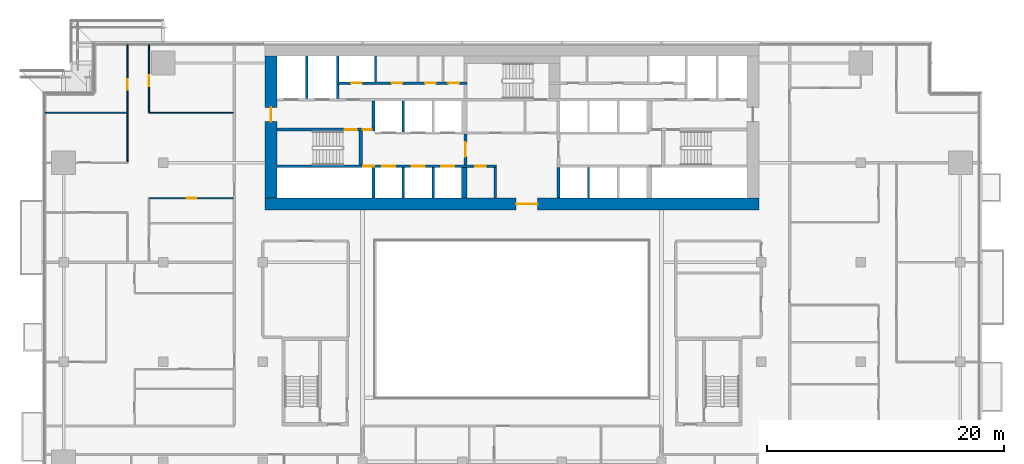
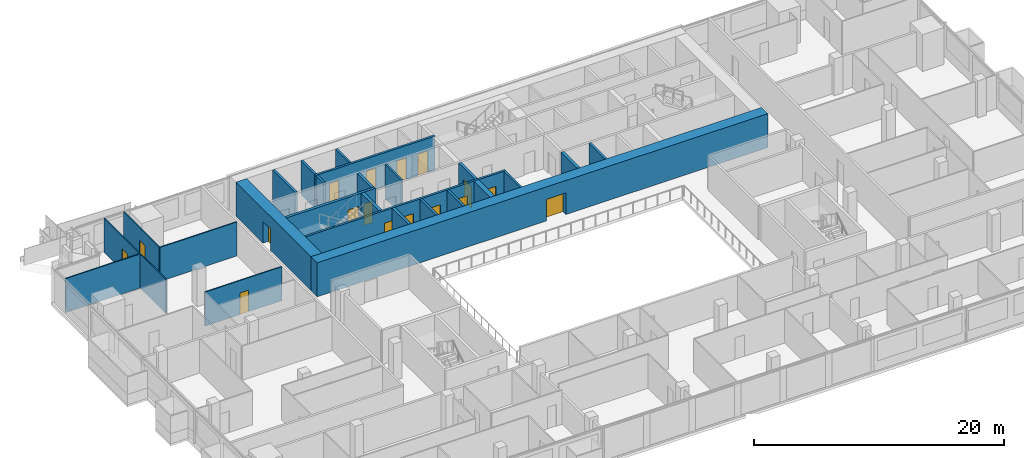
# One storey, part 20 of 29: 25 walls, 17 doors, 17 openings.
"""IFC4 building model written with IfcOpenShell, lengths in metres."""

from ifc_helpers import new_model, si_unit, direction, frame, frame_2d, origin, place, context, subcontext, project, spatial, rectangle, extrude, material, layer, layer_set, type_object, element, fill, save


model = new_model("IFC4")

# Units and contexts
model_context = context("Model", 3, precision=1e-05, world=origin(), true_north=direction((0.0, 1.0)))
body_context = subcontext(model_context, "Body", "Model", "MODEL_VIEW")
ifc_project = project(units=[si_unit("LENGTHUNIT", "METRE"), si_unit("AREAUNIT", "SQUARE_METRE"), si_unit("VOLUMEUNIT", "CUBIC_METRE"), si_unit("PLANEANGLEUNIT", "RADIAN"), si_unit("MASSUNIT", "GRAM", prefix="KILO")], contexts=[model_context])

# Site, building, storey
site_placement = place(None, origin())
site = spatial("IfcSite", under=ifc_project, at=site_placement, CompositionType="ELEMENT")
building_placement = place(site_placement, origin())
building = spatial("IfcBuilding", under=site, at=building_placement, Name="Saffron Gate Tower", CompositionType="ELEMENT")
storey_placement = place(building_placement, frame((0.0, 0.0, 106.050048828125)))
storey = spatial("IfcBuildingStorey", under=building, at=storey_placement, Name="L24", CompositionType="ELEMENT", Elevation=106.050048828125)

# Wall
ifc_material_1 = material(Name="Gypsum board partition on steel studs", Category="steel")
ifc_layer_1 = layer(ifc_material_1, 0.199951171875)
ifc_layer_set_1 = layer_set([ifc_layer_1], Name="CW10 Core partition 200")
wall_type_1 = type_object("IfcWallType", Name="CW10 Core partition 200", PredefinedType="PARTITIONING", material=ifc_layer_set_1)
wall_1_placement = place(storey_placement, frame((86.199951171875, 62.39990234375, 0.0), z_axis=(0.0, 0.0, 1.0), x_axis=(0.0, 1.0, 0.0)))
element("IfcWall", 1, at=wall_1_placement, inside=storey, type_object=wall_type_1, Name="Wall CW10-L24-9", PredefinedType="PARTITIONING", context=body_context, shape_type="SweptSolid", body=[
    extrude(rectangle(XDim=2.60009765625, YDim=0.199951171875, at=frame_2d((1.300048828125, 0.0))), origin(), (0.0, 0.0, 1.0), 3.320068359375),
])

# Wall, opening, door
ifc_material_2 = material(Name="Concrete C70", Category="concrete")
ifc_layer_2 = layer(ifc_material_2, 1.0)
ifc_layer_set_2 = layer_set([ifc_layer_2], Name="CW12 RC core wall 1000 C70")
wall_type_2 = type_object("IfcWallType", Name="CW12 RC core wall 1000 C70", PredefinedType="SOLIDWALL", material=ifc_layer_set_2)
wall_2_placement = place(storey_placement, frame((66.800048828125, 61.89990234375, 0.0), z_axis=(0.0, 0.0, 1.0), x_axis=(1.0, 0.0, 0.0)))
wall_2 = element("IfcWall", 2, at=wall_2_placement, inside=storey, type_object=wall_type_2, Name="Wall CW12-L24-1", PredefinedType="SOLIDWALL", context=body_context, shape_type="SweptSolid", body=[
    extrude(rectangle(XDim=41.599853515625, YDim=1.0, at=frame_2d((20.7998046875, 0.0))), origin(), (0.0, 0.0, 1.0), 3.320068359375),
])
opening_1_placement = place(wall_2_placement, frame((21.14990234375, 0.0, 0.0)))
opening_1 = element("IfcOpeningElement", 3, at=opening_1_placement, cuts=wall_2, Name="Opening CR-09", PredefinedType="OPENING", context=body_context, shape_type="SweptSolid", body=[
    extrude(rectangle(XDim=1.800048828125, YDim=2.10009765625, at=frame_2d((0.89990234375, 1.050048828125))), frame((0.0, 0.510009765625, 0.0), z_axis=(0.0, -1.0, 0.0), x_axis=(1.0, 0.0, 0.0)), (0.0, 0.0, 1.0), 1.02001953125),
])
ifc_material_3 = material(Name="Steel fire door set", Category="steel")
door_type_1 = type_object("IfcDoorType", Name="CD1 Core entrance door 1800x2100 EI 120", OperationType="NOTDEFINED", PredefinedType="DOOR", material=ifc_material_3)
door_1_placement = place(opening_1_placement, origin())
door_1 = element("IfcDoor", 4, at=door_1_placement, inside=storey, type_object=door_type_1, Name="DOOR CR-09", OperationType="DOUBLE_DOOR_SINGLE_SWING", OverallHeight=2.10009765625, OverallWidth=1.800048828125, PredefinedType="DOOR", context=body_context, shape_type="SweptSolid", body=[
    extrude(rectangle(XDim=1.800048828125, YDim=2.10009765625, at=frame_2d((0.89990234375, 1.050048828125))), frame((0.0, 0.02490234375, 0.0), z_axis=(0.0, -1.0, 0.0), x_axis=(1.0, 0.0, 0.0)), (0.0, 0.0, 1.0), 0.050048828125),
])
fill(opening_1, door_1)

wall_3_placement = place(storey_placement, frame((67.300048828125, 62.39990234375, 0.0), z_axis=(0.0, 0.0, 1.0), x_axis=(0.0, 1.0, 0.0)))
wall_3 = element("IfcWall", 5, at=wall_3_placement, inside=storey, type_object=wall_type_2, Name="Wall CW12-L24-3", PredefinedType="SOLIDWALL", context=body_context, shape_type="SweptSolid", body=[
    extrude(rectangle(XDim=12.0, YDim=1.0, at=frame_2d((6.0, 0.0))), origin(), (0.0, 0.0, 1.0), 3.320068359375),
])
opening_2_placement = place(wall_3_placement, frame((6.449951171875, 0.0, 0.0)))
opening_2 = element("IfcOpeningElement", 6, at=opening_2_placement, cuts=wall_3, Name="Opening CR-10", PredefinedType="OPENING", context=body_context, shape_type="SweptSolid", body=[
    extrude(rectangle(XDim=1.199951171875, YDim=2.10009765625, at=frame_2d((0.60009765625, 1.050048828125))), frame((0.0, 0.510009765625, 0.0), z_axis=(0.0, -1.0, 0.0), x_axis=(1.0, 0.0, 0.0)), (0.0, 0.0, 1.0), 1.02001953125),
])
door_type_2 = type_object("IfcDoorType", Name="CD7 Core entrance door 1200x2100 EI 120", OperationType="NOTDEFINED", PredefinedType="DOOR", material=ifc_material_3)
door_2_placement = place(opening_2_placement, origin())
door_2 = element("IfcDoor", 7, at=door_2_placement, inside=storey, type_object=door_type_2, Name="DOOR CR-10", OperationType="SINGLE_SWING_LEFT", OverallHeight=2.10009765625, OverallWidth=1.199951171875, PredefinedType="DOOR", context=body_context, shape_type="SweptSolid", body=[
    extrude(rectangle(XDim=1.199951171875, YDim=2.10009765625, at=frame_2d((0.60009765625, 1.050048828125))), frame((0.0, 0.02490234375, 0.0), z_axis=(0.0, -1.0, 0.0), x_axis=(1.0, 0.0, 0.0)), (0.0, 0.0, 1.0), 0.050048828125),
])
fill(opening_2, door_2)

# Walls
ifc_layer_3 = layer(ifc_material_2, 0.25)
ifc_layer_set_3 = layer_set([ifc_layer_3], Name="CW2 RC core wall 250 C70")
wall_type_3 = type_object("IfcWallType", Name="CW2 RC core wall 250 C70", PredefinedType="SOLIDWALL", material=ifc_layer_set_3)
for number, where, z_axis, x_axis, name in (
    (8, (75.925048828125, 62.39990234375, 0.0), (0.0, 0.0, 1.0), (0.0, 1.0, 0.0), "Wall CW2-L24-5"),
    (9, (91.52490234375, 62.39990234375, 0.0), (0.0, 0.0, 1.0), (0.0, 1.0, 0.0), "Wall CW2-L24-10"),
):
    element("IfcWall", number, at=place(storey_placement, frame(where, z_axis=z_axis, x_axis=x_axis)), inside=storey, type_object=wall_type_3, Name=name, PredefinedType="SOLIDWALL", context=body_context, shape_type="SweptSolid", body=[
        extrude(rectangle(XDim=2.60009765625, YDim=0.25, at=frame_2d((1.300048828125, 0.0))), origin(), (0.0, 0.0, 1.0), 3.320068359375),
    ])

# Wall, opening, door
wall_4_placement = place(storey_placement, frame((83.675048828125, 65.199951171875, 0.0), z_axis=(0.0, 0.0, 1.0), x_axis=(0.0, 1.0, 0.0)))
wall_4 = element("IfcWall", 10, at=wall_4_placement, inside=storey, type_object=wall_type_3, Name="Wall CW2-L24-17", PredefinedType="SOLIDWALL", context=body_context, shape_type="SweptSolid", body=[
    extrude(rectangle(XDim=2.60009765625, YDim=0.25, at=frame_2d((1.300048828125, 0.0))), origin(), (0.0, 0.0, 1.0), 3.320068359375),
])
opening_3_placement = place(wall_4_placement, frame((0.699951171875, 0.0, 0.0)))
opening_3 = element("IfcOpeningElement", 11, at=opening_3_placement, cuts=wall_4, Name="Opening CR-07", PredefinedType="OPENING", context=body_context, shape_type="SweptSolid", body=[
    extrude(rectangle(XDim=1.199951171875, YDim=2.10009765625, at=frame_2d((0.60009765625, 1.050048828125))), frame((0.0, 0.135009765625, 0.0), z_axis=(0.0, -1.0, 0.0), x_axis=(1.0, 0.0, 0.0)), (0.0, 0.0, 1.0), 0.27001953125),
])
door_type_3 = type_object("IfcDoorType", Name="CD3 Lobby door 1200x2100 EI 120", OperationType="NOTDEFINED", PredefinedType="DOOR", material=ifc_material_3)
door_3_placement = place(opening_3_placement, origin())
door_3 = element("IfcDoor", 12, at=door_3_placement, inside=storey, type_object=door_type_3, Name="DOOR CR-07", OperationType="SINGLE_SWING_RIGHT", OverallHeight=2.10009765625, OverallWidth=1.199951171875, PredefinedType="DOOR", context=body_context, shape_type="SweptSolid", body=[
    extrude(rectangle(XDim=1.199951171875, YDim=2.10009765625, at=frame_2d((0.60009765625, 1.050048828125))), frame((0.0, 0.02490234375, 0.0), z_axis=(0.0, -1.0, 0.0), x_axis=(1.0, 0.0, 0.0)), (0.0, 0.0, 1.0), 0.050048828125),
])
fill(opening_3, door_3)

# Wall, openings, doors
wall_5_placement = place(storey_placement, frame((67.800048828125, 68.175048828125, 0.0), z_axis=(0.0, 0.0, 1.0), x_axis=(1.0, 0.0, 0.0)))
wall_5 = element("IfcWall", 13, at=wall_5_placement, inside=storey, type_object=wall_type_3, Name="Wall CW2-L24-29", PredefinedType="SOLIDWALL", context=body_context, shape_type="SweptSolid", body=[
    extrude(rectangle(XDim=8.25, YDim=0.25, at=frame_2d((4.125, 0.0))), origin(), (0.0, 0.0, 1.0), 3.320068359375),
])
opening_4_placement = place(wall_5_placement, frame((5.699951171875, 0.0, 0.0)))
opening_4 = element("IfcOpeningElement", 14, at=opening_4_placement, cuts=wall_5, Name="Opening CR-15", PredefinedType="OPENING", context=body_context, shape_type="SweptSolid", body=[
    extrude(rectangle(XDim=1.0, YDim=2.10009765625, at=frame_2d((0.5, 1.050048828125))), frame((0.0, 0.135009765625, 0.0), z_axis=(0.0, -1.0, 0.0), x_axis=(1.0, 0.0, 0.0)), (0.0, 0.0, 1.0), 0.27001953125),
])
opening_5_placement = place(wall_5_placement, frame((7.199951171875, 0.0, 0.0)))
opening_5 = element("IfcOpeningElement", 15, at=opening_5_placement, cuts=wall_5, Name="Opening CR-06", PredefinedType="OPENING", context=body_context, shape_type="SweptSolid", body=[
    extrude(rectangle(XDim=0.800048828125, YDim=2.10009765625, at=frame_2d((0.39990234375, 1.050048828125))), frame((0.0, 0.135009765625, 0.0), z_axis=(0.0, -1.0, 0.0), x_axis=(1.0, 0.0, 0.0)), (0.0, 0.0, 1.0), 0.27001953125),
])
door_type_4 = type_object("IfcDoorType", Name="CD5 Stair door 1000x2100 EI 120", OperationType="NOTDEFINED", PredefinedType="DOOR", material=ifc_material_3)
door_4_placement = place(opening_4_placement, origin())
door_4 = element("IfcDoor", 16, at=door_4_placement, inside=storey, type_object=door_type_4, Name="DOOR CR-15", OperationType="SINGLE_SWING_RIGHT", OverallHeight=2.10009765625, OverallWidth=1.0, PredefinedType="DOOR", context=body_context, shape_type="SweptSolid", body=[
    extrude(rectangle(XDim=1.0, YDim=2.10009765625, at=frame_2d((0.5, 1.050048828125))), frame((0.0, 0.02490234375, 0.0), z_axis=(0.0, -1.0, 0.0), x_axis=(1.0, 0.0, 0.0)), (0.0, 0.0, 1.0), 0.050048828125),
])
fill(opening_4, door_4)
door_type_5 = type_object("IfcDoorType", Name="CD6 Lobby door 800x2100 EI 120", OperationType="NOTDEFINED", PredefinedType="DOOR", material=ifc_material_3)
door_5_placement = place(opening_5_placement, origin())
door_5 = element("IfcDoor", 17, at=door_5_placement, inside=storey, type_object=door_type_5, Name="DOOR CR-06", OperationType="SINGLE_SWING_LEFT", OverallHeight=2.10009765625, OverallWidth=0.800048828125, PredefinedType="DOOR", context=body_context, shape_type="SweptSolid", body=[
    extrude(rectangle(XDim=0.800048828125, YDim=2.10009765625, at=frame_2d((0.39990234375, 1.050048828125))), frame((0.0, 0.02490234375, 0.0), z_axis=(0.0, -1.0, 0.0), x_axis=(1.0, 0.0, 0.0)), (0.0, 0.0, 1.0), 0.050048828125),
])
fill(opening_5, door_5)

# Walls
wall_6_placement = place(storey_placement, frame((75.925048828125, 68.300048828125, 0.0), z_axis=(0.0, 0.0, 1.0), x_axis=(0.0, 1.0, 0.0)))
element("IfcWall", 18, at=wall_6_placement, inside=storey, type_object=wall_type_3, Name="Wall CW2-L24-31", PredefinedType="SOLIDWALL", context=body_context, shape_type="SweptSolid", body=[
    extrude(rectangle(XDim=2.300048828125, YDim=0.25, at=frame_2d((1.14990234375, 0.0))), origin(), (0.0, 0.0, 1.0), 3.320068359375),
])
ifc_layer_4 = layer(ifc_material_2, 0.199951171875)
ifc_layer_set_4 = layer_set([ifc_layer_4], Name="CW3 RC core wall 200 C70")
wall_type_4 = type_object("IfcWallType", Name="CW3 RC core wall 200 C70", PredefinedType="SOLIDWALL", material=ifc_layer_set_4)
for number, where, z_axis, x_axis, name in (
    (19, (78.449951171875, 62.39990234375, 0.0), (0.0, 0.0, 1.0), (0.0, 1.0, 0.0), "Wall CW3-L24-6"),
    (20, (80.949951171875, 62.39990234375, 0.0), (0.0, 0.0, 1.0), (0.0, 1.0, 0.0), "Wall CW3-L24-7"),
    (21, (94.050048828125, 62.39990234375, 0.0), (0.0, 0.0, 1.0), (0.0, 1.0, 0.0), "Wall CW3-L24-11"),
):
    element("IfcWall", number, at=place(storey_placement, frame(where, z_axis=z_axis, x_axis=x_axis)), inside=storey, type_object=wall_type_4, Name=name, PredefinedType="SOLIDWALL", context=body_context, shape_type="SweptSolid", body=[
        extrude(rectangle(XDim=2.60009765625, YDim=0.199951171875, at=frame_2d((1.300048828125, 0.0))), origin(), (0.0, 0.0, 1.0), 3.320068359375),
    ])

# Wall, openings, doors
wall_7_placement = place(storey_placement, frame((67.800048828125, 65.10009765625, 0.0), z_axis=(0.0, 0.0, 1.0), x_axis=(1.0, 0.0, 0.0)))
wall_7 = element("IfcWall", 22, at=wall_7_placement, inside=storey, type_object=wall_type_4, Name="Wall CW3-L24-14", PredefinedType="SOLIDWALL", context=body_context, shape_type="SweptSolid", body=[
    extrude(rectangle(XDim=18.5, YDim=0.199951171875, at=frame_2d((9.25, 0.0))), origin(), (0.0, 0.0, 1.0), 3.320068359375),
])
opening_6_placement = place(wall_7_placement, frame((7.27001953125, 0.0, 0.0)))
opening_6 = element("IfcOpeningElement", 23, at=opening_6_placement, cuts=wall_7, Name="Opening CR-49", PredefinedType="OPENING", context=body_context, shape_type="SweptSolid", body=[
    extrude(rectangle(XDim=0.89990234375, YDim=2.10009765625, at=frame_2d((0.449951171875, 1.050048828125))), frame((0.0, 0.10986328125, 0.0), z_axis=(0.0, -1.0, 0.0), x_axis=(1.0, 0.0, 0.0)), (0.0, 0.0, 1.0), 0.219970703125),
])
opening_7_placement = place(wall_7_placement, frame((8.85009765625, 0.0, 0.0)))
opening_7 = element("IfcOpeningElement", 24, at=opening_7_placement, cuts=wall_7, Name="Opening LD-LR1", PredefinedType="OPENING", context=body_context, shape_type="SweptSolid", body=[
    extrude(rectangle(XDim=1.10009765625, YDim=2.10009765625, at=frame_2d((0.550048828125, 1.050048828125))), frame((0.0, 0.10986328125, 0.0), z_axis=(0.0, -1.0, 0.0), x_axis=(1.0, 0.0, 0.0)), (0.0, 0.0, 1.0), 0.219970703125),
])
opening_8_placement = place(wall_7_placement, frame((11.35009765625, 0.0, 0.0)))
opening_8 = element("IfcOpeningElement", 25, at=opening_8_placement, cuts=wall_7, Name="Opening LD-LR2", PredefinedType="OPENING", context=body_context, shape_type="SweptSolid", body=[
    extrude(rectangle(XDim=1.10009765625, YDim=2.10009765625, at=frame_2d((0.550048828125, 1.050048828125))), frame((0.0, 0.10986328125, 0.0), z_axis=(0.0, -1.0, 0.0), x_axis=(1.0, 0.0, 0.0)), (0.0, 0.0, 1.0), 0.219970703125),
])
opening_9_placement = place(wall_7_placement, frame((13.85009765625, 0.0, 0.0)))
opening_9 = element("IfcOpeningElement", 26, at=opening_9_placement, cuts=wall_7, Name="Opening LD-LR3", PredefinedType="OPENING", context=body_context, shape_type="SweptSolid", body=[
    extrude(rectangle(XDim=1.10009765625, YDim=2.10009765625, at=frame_2d((0.550048828125, 1.050048828125))), frame((0.0, 0.10986328125, 0.0), z_axis=(0.0, -1.0, 0.0), x_axis=(1.0, 0.0, 0.0)), (0.0, 0.0, 1.0), 0.219970703125),
])
opening_10_placement = place(wall_7_placement, frame((16.699951171875, 0.0, 0.0)))
opening_10 = element("IfcOpeningElement", 27, at=opening_10_placement, cuts=wall_7, Name="Opening CR-69", PredefinedType="OPENING", context=body_context, shape_type="SweptSolid", body=[
    extrude(rectangle(XDim=0.89990234375, YDim=2.10009765625, at=frame_2d((0.449951171875, 1.050048828125))), frame((0.0, 0.10986328125, 0.0), z_axis=(0.0, -1.0, 0.0), x_axis=(1.0, 0.0, 0.0)), (0.0, 0.0, 1.0), 0.219970703125),
])
door_type_6 = type_object("IfcDoorType", Name="CD2 Riser door 900x2100 EI 60", OperationType="NOTDEFINED", PredefinedType="DOOR", material=ifc_material_3)
door_6_placement = place(opening_6_placement, origin())
door_6 = element("IfcDoor", 28, at=door_6_placement, inside=storey, type_object=door_type_6, Name="DOOR CR-49", OperationType="SINGLE_SWING_LEFT", OverallHeight=2.10009765625, OverallWidth=0.89990234375, PredefinedType="DOOR", context=body_context, shape_type="SweptSolid", body=[
    extrude(rectangle(XDim=0.89990234375, YDim=2.10009765625, at=frame_2d((0.449951171875, 1.050048828125))), frame((0.0, 0.02490234375, 0.0), z_axis=(0.0, -1.0, 0.0), x_axis=(1.0, 0.0, 0.0)), (0.0, 0.0, 1.0), 0.050048828125),
])
fill(opening_6, door_6)
door_type_7 = type_object("IfcDoorType", Name="CD9 Room door 900x2100 EI 60", OperationType="NOTDEFINED", PredefinedType="DOOR", material=ifc_material_3)
door_7_placement = place(opening_10_placement, origin())
door_7 = element("IfcDoor", 29, at=door_7_placement, inside=storey, type_object=door_type_7, Name="DOOR CR-69", OperationType="SINGLE_SWING_RIGHT", OverallHeight=2.10009765625, OverallWidth=0.89990234375, PredefinedType="DOOR", context=body_context, shape_type="SweptSolid", body=[
    extrude(rectangle(XDim=0.89990234375, YDim=2.10009765625, at=frame_2d((0.449951171875, 1.050048828125))), frame((0.0, 0.02490234375, 0.0), z_axis=(0.0, -1.0, 0.0), x_axis=(1.0, 0.0, 0.0)), (0.0, 0.0, 1.0), 0.050048828125),
])
fill(opening_10, door_7)
ifc_material_4 = material(Name="Stainless steel landing door", Category="steel")
door_type_8 = type_object("IfcDoorType", Name="LD Lift landing door 1100x2100 EI 120", OperationType="SLIDING_TO_LEFT", PredefinedType="DOOR", material=ifc_material_4)
door_8_placement = place(opening_7_placement, origin())
door_8 = element("IfcDoor", 30, at=door_8_placement, inside=storey, type_object=door_type_8, Name="LANDING DOOR LD-LR1", OperationType="SLIDING_TO_LEFT", OverallHeight=2.10009765625, OverallWidth=1.10009765625, PredefinedType="DOOR", context=body_context, shape_type="SweptSolid", body=[
    extrude(rectangle(XDim=1.10009765625, YDim=2.10009765625, at=frame_2d((0.550048828125, 1.050048828125))), frame((0.0, 0.02490234375, 0.0), z_axis=(0.0, -1.0, 0.0), x_axis=(1.0, 0.0, 0.0)), (0.0, 0.0, 1.0), 0.050048828125),
])
fill(opening_7, door_8)
door_9_placement = place(opening_8_placement, origin())
door_9 = element("IfcDoor", 31, at=door_9_placement, inside=storey, type_object=door_type_8, Name="LANDING DOOR LD-LR2", OperationType="SLIDING_TO_LEFT", OverallHeight=2.10009765625, OverallWidth=1.10009765625, PredefinedType="DOOR", context=body_context, shape_type="SweptSolid", body=[
    extrude(rectangle(XDim=1.10009765625, YDim=2.10009765625, at=frame_2d((0.550048828125, 1.050048828125))), frame((0.0, 0.02490234375, 0.0), z_axis=(0.0, -1.0, 0.0), x_axis=(1.0, 0.0, 0.0)), (0.0, 0.0, 1.0), 0.050048828125),
])
fill(opening_8, door_9)
door_10_placement = place(opening_9_placement, origin())
door_10 = element("IfcDoor", 32, at=door_10_placement, inside=storey, type_object=door_type_8, Name="LANDING DOOR LD-LR3", OperationType="SLIDING_TO_LEFT", OverallHeight=2.10009765625, OverallWidth=1.10009765625, PredefinedType="DOOR", context=body_context, shape_type="SweptSolid", body=[
    extrude(rectangle(XDim=1.10009765625, YDim=2.10009765625, at=frame_2d((0.550048828125, 1.050048828125))), frame((0.0, 0.02490234375, 0.0), z_axis=(0.0, -1.0, 0.0), x_axis=(1.0, 0.0, 0.0)), (0.0, 0.0, 1.0), 0.050048828125),
])
fill(opening_9, door_10)

# Walls
wall_8_placement = place(storey_placement, frame((78.449951171875, 68.0, 0.0), z_axis=(0.0, 0.0, 1.0), x_axis=(0.0, 1.0, 0.0)))
element("IfcWall", 33, at=wall_8_placement, inside=storey, type_object=wall_type_4, Name="Wall CW3-L24-21", PredefinedType="SOLIDWALL", context=body_context, shape_type="SweptSolid", body=[
    extrude(rectangle(XDim=2.60009765625, YDim=0.199951171875, at=frame_2d((1.300048828125, 0.0))), origin(), (0.0, 0.0, 1.0), 3.320068359375),
])
wall_9_placement = place(storey_placement, frame((70.300048828125, 70.800048828125, 0.0), z_axis=(0.0, 0.0, 1.0), x_axis=(0.0, 1.0, 0.0)))
element("IfcWall", 34, at=wall_9_placement, inside=storey, type_object=wall_type_4, Name="Wall CW3-L24-34", PredefinedType="SOLIDWALL", context=body_context, shape_type="SweptSolid", body=[
    extrude(rectangle(XDim=3.599853515625, YDim=0.199951171875, at=frame_2d((1.7998046875, 0.0))), origin(), (0.0, 0.0, 1.0), 3.320068359375),
])
wall_10_placement = place(storey_placement, frame((72.89990234375, 70.800048828125, 0.0), z_axis=(0.0, 0.0, 1.0), x_axis=(0.0, 1.0, 0.0)))
element("IfcWall", 35, at=wall_10_placement, inside=storey, type_object=wall_type_4, Name="Wall CW3-L24-35", PredefinedType="SOLIDWALL", context=body_context, shape_type="SweptSolid", body=[
    extrude(rectangle(XDim=1.199951171875, YDim=0.199951171875, at=frame_2d((0.60009765625, 0.0))), origin(), (0.0, 0.0, 1.0), 3.320068359375),
])

# Wall, openings, doors
wall_11_placement = place(storey_placement, frame((72.800048828125, 72.10009765625, 0.0), z_axis=(0.0, 0.0, 1.0), x_axis=(1.0, 0.0, 0.0)))
wall_11 = element("IfcWall", 36, at=wall_11_placement, inside=storey, type_object=wall_type_4, Name="Wall CW3-L24-40", PredefinedType="SOLIDWALL", context=body_context, shape_type="SweptSolid", body=[
    extrude(rectangle(XDim=11.0, YDim=0.199951171875, at=frame_2d((5.5, 0.0))), origin(), (0.0, 0.0, 1.0), 3.320068359375),
])
opening_11_placement = place(wall_11_placement, frame((1.25, 0.0, 0.0)))
opening_11 = element("IfcOpeningElement", 37, at=opening_11_placement, cuts=wall_11, Name="Opening CR-71", PredefinedType="OPENING", context=body_context, shape_type="SweptSolid", body=[
    extrude(rectangle(XDim=0.89990234375, YDim=2.10009765625, at=frame_2d((0.449951171875, 1.050048828125))), frame((0.0, 0.10986328125, 0.0), z_axis=(0.0, -1.0, 0.0), x_axis=(1.0, 0.0, 0.0)), (0.0, 0.0, 1.0), 0.219970703125),
])
opening_12_placement = place(wall_11_placement, frame((4.64990234375, 0.0, 0.0)))
opening_12 = element("IfcOpeningElement", 38, at=opening_12_placement, cuts=wall_11, Name="Opening CR-55", PredefinedType="OPENING", context=body_context, shape_type="SweptSolid", body=[
    extrude(rectangle(XDim=0.89990234375, YDim=2.10009765625, at=frame_2d((0.449951171875, 1.050048828125))), frame((0.0, 0.10986328125, 0.0), z_axis=(0.0, -1.0, 0.0), x_axis=(1.0, 0.0, 0.0)), (0.0, 0.0, 1.0), 0.219970703125),
])
opening_13_placement = place(wall_11_placement, frame((7.469970703125, 0.0, 0.0)))
opening_13 = element("IfcOpeningElement", 39, at=opening_13_placement, cuts=wall_11, Name="Opening CR-58", PredefinedType="OPENING", context=body_context, shape_type="SweptSolid", body=[
    extrude(rectangle(XDim=0.89990234375, YDim=2.10009765625, at=frame_2d((0.449951171875, 1.050048828125))), frame((0.0, 0.10986328125, 0.0), z_axis=(0.0, -1.0, 0.0), x_axis=(1.0, 0.0, 0.0)), (0.0, 0.0, 1.0), 0.219970703125),
])
opening_14_placement = place(wall_11_placement, frame((9.445068359375, 0.0, 0.0)))
opening_14 = element("IfcOpeningElement", 40, at=opening_14_placement, cuts=wall_11, Name="Opening CR-59", PredefinedType="OPENING", context=body_context, shape_type="SweptSolid", body=[
    extrude(rectangle(XDim=0.89990234375, YDim=2.10009765625, at=frame_2d((0.449951171875, 1.050048828125))), frame((0.0, 0.10986328125, 0.0), z_axis=(0.0, -1.0, 0.0), x_axis=(1.0, 0.0, 0.0)), (0.0, 0.0, 1.0), 0.219970703125),
])
door_11_placement = place(opening_11_placement, origin())
door_11 = element("IfcDoor", 41, at=door_11_placement, inside=storey, type_object=door_type_6, Name="DOOR CR-71", OperationType="SINGLE_SWING_LEFT", OverallHeight=2.10009765625, OverallWidth=0.89990234375, PredefinedType="DOOR", context=body_context, shape_type="SweptSolid", body=[
    extrude(rectangle(XDim=0.89990234375, YDim=2.10009765625, at=frame_2d((0.449951171875, 1.050048828125))), frame((0.0, 0.02490234375, 0.0), z_axis=(0.0, -1.0, 0.0), x_axis=(1.0, 0.0, 0.0)), (0.0, 0.0, 1.0), 0.050048828125),
])
fill(opening_11, door_11)
door_12_placement = place(opening_12_placement, origin())
door_12 = element("IfcDoor", 42, at=door_12_placement, inside=storey, type_object=door_type_7, Name="DOOR CR-55", OperationType="SINGLE_SWING_LEFT", OverallHeight=2.10009765625, OverallWidth=0.89990234375, PredefinedType="DOOR", context=body_context, shape_type="SweptSolid", body=[
    extrude(rectangle(XDim=0.89990234375, YDim=2.10009765625, at=frame_2d((0.449951171875, 1.050048828125))), frame((0.0, 0.02490234375, 0.0), z_axis=(0.0, -1.0, 0.0), x_axis=(1.0, 0.0, 0.0)), (0.0, 0.0, 1.0), 0.050048828125),
])
fill(opening_12, door_12)
door_13_placement = place(opening_13_placement, origin())
door_13 = element("IfcDoor", 43, at=door_13_placement, inside=storey, type_object=door_type_7, Name="DOOR CR-58", OperationType="SINGLE_SWING_LEFT", OverallHeight=2.10009765625, OverallWidth=0.89990234375, PredefinedType="DOOR", context=body_context, shape_type="SweptSolid", body=[
    extrude(rectangle(XDim=0.89990234375, YDim=2.10009765625, at=frame_2d((0.449951171875, 1.050048828125))), frame((0.0, 0.02490234375, 0.0), z_axis=(0.0, -1.0, 0.0), x_axis=(1.0, 0.0, 0.0)), (0.0, 0.0, 1.0), 0.050048828125),
])
fill(opening_13, door_13)
door_14_placement = place(opening_14_placement, origin())
door_14 = element("IfcDoor", 44, at=door_14_placement, inside=storey, type_object=door_type_7, Name="DOOR CR-59", OperationType="SINGLE_SWING_LEFT", OverallHeight=2.10009765625, OverallWidth=0.89990234375, PredefinedType="DOOR", context=body_context, shape_type="SweptSolid", body=[
    extrude(rectangle(XDim=0.89990234375, YDim=2.10009765625, at=frame_2d((0.449951171875, 1.050048828125))), frame((0.0, 0.02490234375, 0.0), z_axis=(0.0, -1.0, 0.0), x_axis=(1.0, 0.0, 0.0)), (0.0, 0.0, 1.0), 0.050048828125),
])
fill(opening_14, door_14)

# Walls
for number, where, z_axis, x_axis, name in (
    (45, (72.89990234375, 72.199951171875, 0.0), (0.0, 0.0, 1.0), (0.0, 1.0, 0.0), "Wall CW3-L24-42"),
    (46, (76.10009765625, 72.199951171875, 0.0), (0.0, 0.0, 1.0), (0.0, 1.0, 0.0), "Wall CW3-L24-43"),
):
    element("IfcWall", number, at=place(storey_placement, frame(where, z_axis=z_axis, x_axis=x_axis)), inside=storey, type_object=wall_type_4, Name=name, PredefinedType="SOLIDWALL", context=body_context, shape_type="SweptSolid", body=[
        extrude(rectangle(XDim=2.199951171875, YDim=0.199951171875, at=frame_2d((1.10009765625, 0.0))), origin(), (0.0, 0.0, 1.0), 3.320068359375),
    ])
ifc_layer_5 = layer(ifc_material_2, 0.449951171875)
ifc_layer_set_5 = layer_set([ifc_layer_5], Name="CW4 RC core wall 450 C70")
wall_type_5 = type_object("IfcWallType", Name="CW4 RC core wall 450 C70", PredefinedType="SOLIDWALL", material=ifc_layer_set_5)
wall_12_placement = place(storey_placement, frame((83.574951171875, 62.39990234375, 0.0), z_axis=(0.0, 0.0, 1.0), x_axis=(0.0, 1.0, 0.0)))
element("IfcWall", 47, at=wall_12_placement, inside=storey, type_object=wall_type_5, Name="Wall CW4-L24-8", PredefinedType="SOLIDWALL", context=body_context, shape_type="SweptSolid", body=[
    extrude(rectangle(XDim=2.60009765625, YDim=0.449951171875, at=frame_2d((1.300048828125, 0.0))), origin(), (0.0, 0.0, 1.0), 3.320068359375),
])
ifc_layer_6 = layer(ifc_material_2, 0.300048828125)
ifc_layer_set_6 = layer_set([ifc_layer_6], Name="CW5 RC core wall 300 C70")
wall_type_6 = type_object("IfcWallType", Name="CW5 RC core wall 300 C70", PredefinedType="SOLIDWALL", material=ifc_layer_set_6)
wall_13_placement = place(storey_placement, frame((74.85009765625, 65.199951171875, 0.0), z_axis=(0.0, 0.0, 1.0), x_axis=(0.0, 1.0, 0.0)))
element("IfcWall", 48, at=wall_13_placement, inside=storey, type_object=wall_type_6, Name="Wall CW5-L24-16", PredefinedType="SOLIDWALL", context=body_context, shape_type="SweptSolid", body=[
    extrude(rectangle(XDim=2.85009765625, YDim=0.300048828125, at=frame_2d((1.425048828125, 0.0))), origin(), (0.0, 0.0, 1.0), 3.320068359375),
])

# Wall, opening, door
ifc_material_5 = material(Name="Plasterboard on steel studs", Category="steel")
ifc_layer_7 = layer(ifc_material_5, 0.10009765625)
ifc_layer_set_7 = layer_set([ifc_layer_7], Name="PW1 Partition 100")
wall_type_7 = type_object("IfcWallType", Name="PW1 Partition 100", PredefinedType="PARTITIONING", material=ifc_layer_set_7)
wall_14_placement = place(storey_placement, frame((64.10009765625, 62.39990234375, 0.0), z_axis=(0.0, 0.0, 1.0), x_axis=(-1.0, 0.0, 0.0)))
wall_14 = element("IfcWall", 49, at=wall_14_placement, inside=storey, type_object=wall_type_7, Name="Partition B2-39", PredefinedType="PARTITIONING", context=body_context, shape_type="SweptSolid", body=[
    extrude(rectangle(XDim=7.10009765625, YDim=0.10009765625, at=frame_2d((3.550048828125, 0.0))), origin(), (0.0, 0.0, 1.0), 3.320068359375),
])
opening_15_placement = place(wall_14_placement, frame((3.10009765625, 0.0, 0.0)))
opening_15 = element("IfcOpeningElement", 50, at=opening_15_placement, cuts=wall_14, Name="Opening B2-44", PredefinedType="OPENING", context=body_context, shape_type="SweptSolid", body=[
    extrude(rectangle(XDim=0.800048828125, YDim=2.10009765625, at=frame_2d((0.39990234375, 1.050048828125))), frame((0.0, 0.06005859375, 0.0), z_axis=(0.0, -1.0, 0.0), x_axis=(1.0, 0.0, 0.0)), (0.0, 0.0, 1.0), 0.1201171875),
])
ifc_material_6 = material(Name="Timber door set", Category="wood")
door_type_9 = type_object("IfcDoorType", Name="RD2 Bathroom door 800x2100", OperationType="NOTDEFINED", PredefinedType="DOOR", material=ifc_material_6)
door_15_placement = place(opening_15_placement, origin())
door_15 = element("IfcDoor", 51, at=door_15_placement, inside=storey, type_object=door_type_9, Name="Door B2-44", OperationType="SINGLE_SWING_LEFT", OverallHeight=2.10009765625, OverallWidth=0.800048828125, PredefinedType="DOOR", context=body_context, shape_type="SweptSolid", body=[
    extrude(rectangle(XDim=0.800048828125, YDim=2.10009765625, at=frame_2d((0.39990234375, 1.050048828125))), frame((0.0, 0.02490234375, 0.0), z_axis=(0.0, -1.0, 0.0), x_axis=(1.0, 0.0, 0.0)), (0.0, 0.0, 1.0), 0.050048828125),
])
fill(opening_15, door_15)

# Walls
wall_15_placement = place(storey_placement, frame((57.0, 69.594482421875, 0.0), z_axis=(0.0, 0.0, 1.0), x_axis=(1.0, 0.0, 0.0)))
element("IfcWall", 52, at=wall_15_placement, inside=storey, type_object=wall_type_7, Name="Partition B2-45", PredefinedType="PARTITIONING", context=body_context, shape_type="SweptSolid", body=[
    extrude(rectangle(XDim=7.10009765625, YDim=0.10009765625, at=frame_2d((3.550048828125, 0.0))), origin(), (0.0, 0.0, 1.0), 3.320068359375),
])
wall_16_placement = place(storey_placement, frame((48.280029296875, 69.60009765625, 0.0), z_axis=(0.0, 0.0, 1.0), x_axis=(1.0, 0.0, 0.0)))
element("IfcWall", 53, at=wall_16_placement, inside=storey, type_object=wall_type_7, Name="Partition B2-46", PredefinedType="PARTITIONING", context=body_context, shape_type="SweptSolid", body=[
    extrude(rectangle(XDim=6.869873046875, YDim=0.10009765625, at=frame_2d((3.43505859375, 0.0))), origin(), (0.0, 0.0, 1.0), 3.320068359375),
])

# Wall, opening, door
wall_17_placement = place(storey_placement, frame((55.199951171875, 65.449951171875, 0.0), z_axis=(0.0, 0.0, 1.0), x_axis=(0.0, 1.0, 0.0)))
wall_17 = element("IfcWall", 54, at=wall_17_placement, inside=storey, type_object=wall_type_7, Name="Partition B2-52", PredefinedType="PARTITIONING", context=body_context, shape_type="SweptSolid", body=[
    extrude(rectangle(XDim=9.8701171875, YDim=0.10009765625, at=frame_2d((4.93505859375, 0.0))), origin(), (0.0, 0.0, 1.0), 3.320068359375),
])
opening_16_placement = place(wall_17_placement, frame((6.078857421875, 0.0, 0.0)))
opening_16 = element("IfcOpeningElement", 55, at=opening_16_placement, cuts=wall_17, Name="Opening B2-28", PredefinedType="OPENING", context=body_context, shape_type="SweptSolid", body=[
    extrude(rectangle(XDim=0.89990234375, YDim=2.10009765625, at=frame_2d((0.449951171875, 1.050048828125))), frame((0.0, 0.06005859375, 0.0), z_axis=(0.0, -1.0, 0.0), x_axis=(1.0, 0.0, 0.0)), (0.0, 0.0, 1.0), 0.1201171875),
])
door_type_10 = type_object("IfcDoorType", Name="RD1 Room door 900x2100", OperationType="NOTDEFINED", PredefinedType="DOOR", material=ifc_material_6)
door_16_placement = place(opening_16_placement, origin())
door_16 = element("IfcDoor", 56, at=door_16_placement, inside=storey, type_object=door_type_10, Name="Door B2-28", OperationType="SINGLE_SWING_LEFT", OverallHeight=2.10009765625, OverallWidth=0.89990234375, PredefinedType="DOOR", context=body_context, shape_type="SweptSolid", body=[
    extrude(rectangle(XDim=0.89990234375, YDim=2.10009765625, at=frame_2d((0.449951171875, 1.050048828125))), frame((0.0, 0.02490234375, 0.0), z_axis=(0.0, -1.0, 0.0), x_axis=(1.0, 0.0, 0.0)), (0.0, 0.0, 1.0), 0.050048828125),
])
fill(opening_16, door_16)

wall_18_placement = place(storey_placement, frame((57.0, 75.320068359375, 0.0), z_axis=(0.0, 0.0, 1.0), x_axis=(0.0, -1.0, 0.0)))
wall_18 = element("IfcWall", 57, at=wall_18_placement, inside=storey, type_object=wall_type_7, Name="Partition B2-57", PredefinedType="PARTITIONING", context=body_context, shape_type="SweptSolid", body=[
    extrude(rectangle(XDim=5.67578125, YDim=0.10009765625, at=frame_2d((2.837890625, 0.0))), origin(), (0.0, 0.0, 1.0), 3.320068359375),
])
opening_17_placement = place(wall_18_placement, frame((2.57275390625, 0.0, 0.0)))
opening_17 = element("IfcOpeningElement", 58, at=opening_17_placement, cuts=wall_18, Name="Opening B2-29", PredefinedType="OPENING", context=body_context, shape_type="SweptSolid", body=[
    extrude(rectangle(XDim=0.89990234375, YDim=2.10009765625, at=frame_2d((0.449951171875, 1.050048828125))), frame((0.0, 0.06005859375, 0.0), z_axis=(0.0, -1.0, 0.0), x_axis=(1.0, 0.0, 0.0)), (0.0, 0.0, 1.0), 0.1201171875),
])
door_17_placement = place(opening_17_placement, origin())
door_17 = element("IfcDoor", 59, at=door_17_placement, inside=storey, type_object=door_type_10, Name="Door B2-29", OperationType="SINGLE_SWING_RIGHT", OverallHeight=2.10009765625, OverallWidth=0.89990234375, PredefinedType="DOOR", context=body_context, shape_type="SweptSolid", body=[
    extrude(rectangle(XDim=0.89990234375, YDim=2.10009765625, at=frame_2d((0.449951171875, 1.050048828125))), frame((0.0, 0.02490234375, 0.0), z_axis=(0.0, -1.0, 0.0), x_axis=(1.0, 0.0, 0.0)), (0.0, 0.0, 1.0), 0.050048828125),
])
fill(opening_17, door_17)

save(model, "model.ifc")
